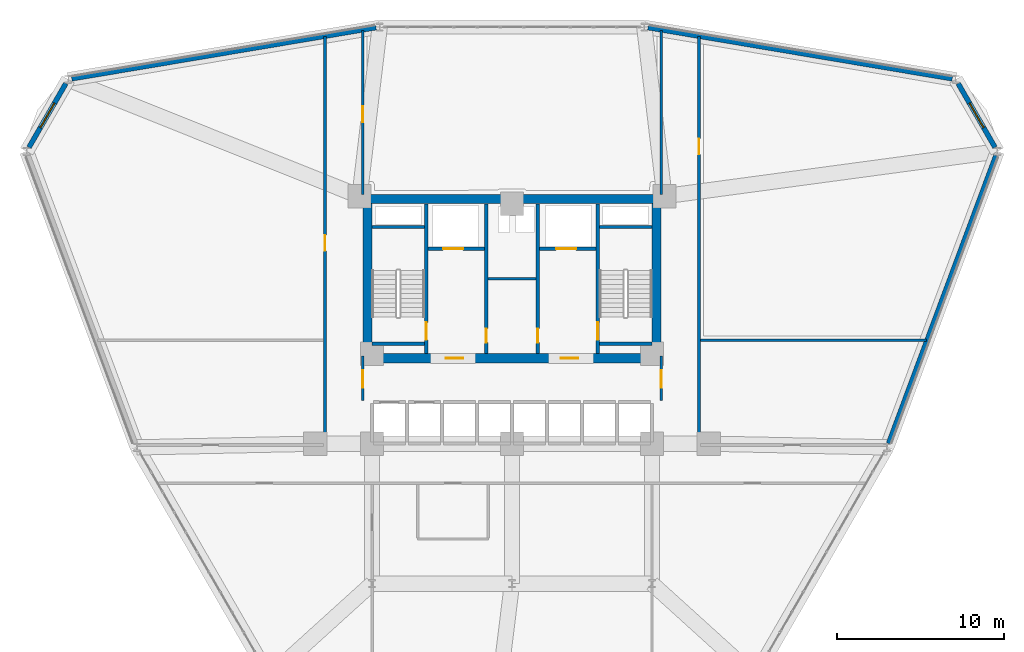
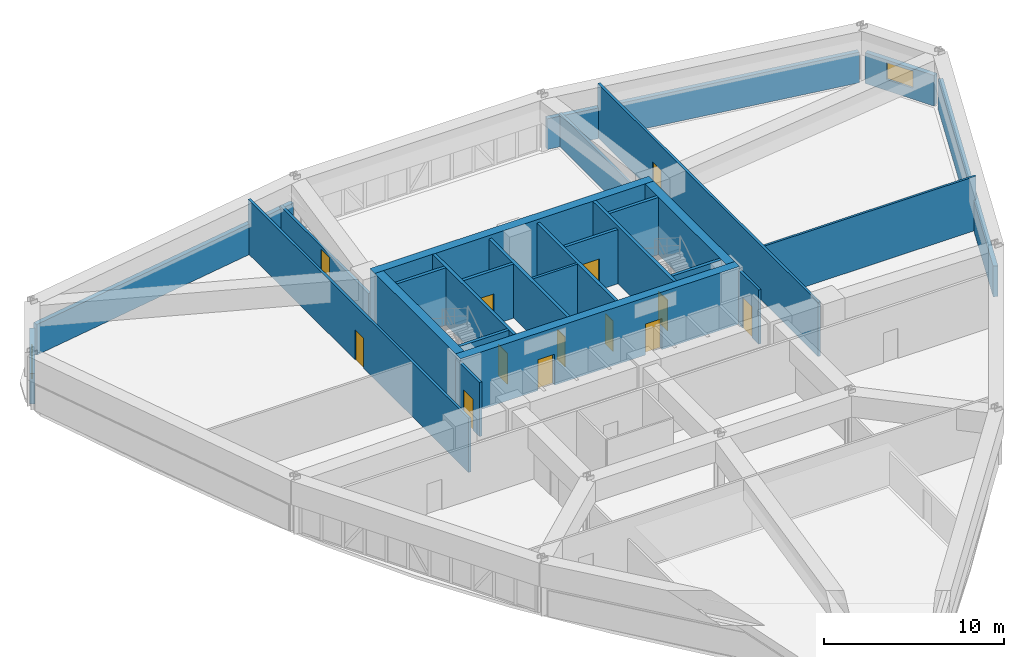
# One storey, part 16 of 20: 27 walls, 13 doors, 2 windows, 15 openings.
"""IFC4 building model written with IfcOpenShell, lengths in metres."""

from ifc_helpers import new_model, si_unit, derived_unit, direction, frame, frame_2d, origin, place, context, subcontext, project, spatial, rectangle, extrude, material, layer, layer_set, type_object, element, fill, save


model = new_model("IFC4")

# Units and contexts
model_context = context("Model", 3, precision=1e-05, world=origin(), true_north=direction((0.0, 1.0)))
body_context = subcontext(model_context, "Body", "Model", "MODEL_VIEW")
ifc_project = project(units=[si_unit("LENGTHUNIT", "METRE"), si_unit("AREAUNIT", "SQUARE_METRE"), si_unit("VOLUMEUNIT", "CUBIC_METRE"), si_unit("PLANEANGLEUNIT", "RADIAN"), si_unit("MASSUNIT", "GRAM", prefix="KILO"), derived_unit("THERMALTRANSMITTANCEUNIT", [(si_unit("POWERUNIT", "WATT"), 1), (si_unit("LENGTHUNIT", "METRE"), -2), (si_unit("THERMODYNAMICTEMPERATUREUNIT", "KELVIN"), -1)])], contexts=[model_context])

# Site, building, storey
site_placement = place(None, origin())
site = spatial("IfcSite", under=ifc_project, at=site_placement, CompositionType="ELEMENT")
building_placement = place(site_placement, origin())
building = spatial("IfcBuilding", under=site, at=building_placement, Name="Korsvarv Bourse and Concert Hall", CompositionType="ELEMENT")
storey_placement = place(building_placement, frame((0.0, 0.0, 35.699951171875)))
storey = spatial("IfcBuildingStorey", under=building, at=storey_placement, Name="L08", CompositionType="ELEMENT", Elevation=35.699951171875)

# Wall, opening, door
ifc_material_1 = material(Name="Concrete C50/60", Category="concrete")
ifc_layer_1 = layer(ifc_material_1, 0.3798828125)
ifc_layer_set_1 = layer_set([ifc_layer_1], Name="Concrete C50/60")
wall_type_1 = type_object("IfcWallType", Name="WL-CORE-380", PredefinedType="SHEAR", material=ifc_layer_set_1)
wall_1_placement = place(storey_placement, frame((30.860107421875, 37.81005859375, 0.0), z_axis=(0.0, 0.0, 1.0), x_axis=(0.0, 1.0, 0.0)))
wall_1 = element("IfcWall", 1, at=wall_1_placement, inside=storey, type_object=wall_type_1, Name="L08 stair shaft structural wall W-L08-ST1-E", PredefinedType="SHEAR", context=body_context, shape_type="SweptSolid", body=[
    extrude(rectangle(XDim=8.97998046875, YDim=0.199951171875, at=frame_2d((4.489990234375, 0.0))), origin(), (0.0, 0.0, 1.0), 3.900146484375),
])
opening_1_placement = place(wall_1_placement, frame((0.820068359375, 0.0, 0.0)))
opening_1 = element("IfcOpeningElement", 2, at=opening_1_placement, cuts=wall_1, Name="Opening D-01", PredefinedType="OPENING", context=body_context, shape_type="SweptSolid", body=[
    extrude(rectangle(XDim=1.050048828125, YDim=2.10009765625, at=frame_2d((0.52490234375, 1.050048828125))), frame((0.0, 0.10986328125, 0.0), z_axis=(0.0, -1.0, 0.0), x_axis=(1.0, 0.0, 0.0)), (0.0, 0.0, 1.0), 0.219970703125),
])
ifc_material_2 = material(Name="Steel S355 fire door", Category="steel")
door_type_1 = type_object("IfcDoorType", Name="DR-FD60", OperationType="NOTDEFINED", PredefinedType="DOOR", material=ifc_material_2)
door_1_placement = place(opening_1_placement, origin())
door_1 = element("IfcDoor", 3, at=door_1_placement, inside=storey, type_object=door_type_1, Name="L08 interior door DR-L08-ST1", OperationType="SINGLE_SWING_RIGHT", OverallHeight=2.10009765625, OverallWidth=1.050048828125, PredefinedType="DOOR", context=body_context, shape_type="SweptSolid", body=[
    extrude(rectangle(XDim=1.050048828125, YDim=2.10009765625, at=frame_2d((0.52490234375, 1.050048828125))), frame((0.0, 0.02490234375, 0.0), z_axis=(0.0, -1.0, 0.0), x_axis=(1.0, 0.0, 0.0)), (0.0, 0.0, 1.0), 0.050048828125),
])
fill(opening_1, door_1)

# Walls
for number, where, z_axis, x_axis, name in (
    (4, (27.610107421875, 45.39990234375, 0.0), (0.0, 0.0, 1.0), (1.0, 0.0, 0.0), "L08 stair shaft structural wall W-L08-ST1-N"),
    (5, (27.610107421875, 38.39990234375, 0.0), (0.0, 0.0, 1.0), (1.0, 0.0, 0.0), "L08 stair shaft structural wall W-L08-ST1-S"),
):
    element("IfcWall", number, at=place(storey_placement, frame(where, z_axis=z_axis, x_axis=x_axis)), inside=storey, type_object=wall_type_1, Name=name, PredefinedType="SHEAR", context=body_context, shape_type="SweptSolid", body=[
        extrude(rectangle(XDim=3.139892578125, YDim=0.199951171875, at=frame_2d((1.56982421875, 0.0))), origin(), (0.0, 0.0, 1.0), 3.900146484375),
    ])

# Wall, opening, door
wall_2_placement = place(storey_placement, frame((41.139892578125, 37.81005859375, 0.0), z_axis=(0.0, 0.0, 1.0), x_axis=(0.0, 1.0, 0.0)))
wall_2 = element("IfcWall", 6, at=wall_2_placement, inside=storey, type_object=wall_type_1, Name="L08 stair shaft structural wall W-L08-ST2-W", PredefinedType="SHEAR", context=body_context, shape_type="SweptSolid", body=[
    extrude(rectangle(XDim=8.97998046875, YDim=0.199951171875, at=frame_2d((4.489990234375, 0.0))), origin(), (0.0, 0.0, 1.0), 3.900146484375),
])
opening_2_placement = place(wall_2_placement, frame((0.820068359375, 0.0, 0.0)))
opening_2 = element("IfcOpeningElement", 7, at=opening_2_placement, cuts=wall_2, Name="Opening D-01", PredefinedType="OPENING", context=body_context, shape_type="SweptSolid", body=[
    extrude(rectangle(XDim=1.050048828125, YDim=2.10009765625, at=frame_2d((0.52490234375, 1.050048828125))), frame((0.0, 0.10986328125, 0.0), z_axis=(0.0, -1.0, 0.0), x_axis=(1.0, 0.0, 0.0)), (0.0, 0.0, 1.0), 0.219970703125),
])
door_2_placement = place(opening_2_placement, frame((1.050048828125, 0.0, 0.0), z_axis=(0.0, 0.0, 1.0), x_axis=(-1.0, 0.0, 0.0)))
door_2 = element("IfcDoor", 8, at=door_2_placement, inside=storey, type_object=door_type_1, Name="L08 interior door DR-L08-ST2", OperationType="SINGLE_SWING_LEFT", OverallHeight=2.10009765625, OverallWidth=1.050048828125, PredefinedType="DOOR", context=body_context, shape_type="SweptSolid", body=[
    extrude(rectangle(XDim=1.050048828125, YDim=2.10009765625, at=frame_2d((0.52490234375, 1.050048828125))), frame((0.0, 0.02490234375, 0.0), z_axis=(0.0, -1.0, 0.0), x_axis=(1.0, 0.0, 0.0)), (0.0, 0.0, 1.0), 0.050048828125),
])
fill(opening_2, door_2)

# Walls
for number, where, z_axis, x_axis, name in (
    (9, (41.25, 45.39990234375, 0.0), (0.0, 0.0, 1.0), (1.0, 0.0, 0.0), "L08 stair shaft structural wall W-L08-ST2-N"),
    (10, (41.25, 38.39990234375, 0.0), (0.0, 0.0, 1.0), (1.0, 0.0, 0.0), "L08 stair shaft structural wall W-L08-ST2-S"),
):
    element("IfcWall", number, at=place(storey_placement, frame(where, z_axis=z_axis, x_axis=x_axis)), inside=storey, type_object=wall_type_1, Name=name, PredefinedType="SHEAR", context=body_context, shape_type="SweptSolid", body=[
        extrude(rectangle(XDim=3.139892578125, YDim=0.199951171875, at=frame_2d((1.56982421875, 0.0))), origin(), (0.0, 0.0, 1.0), 3.900146484375),
    ])
ifc_material_3 = material(Name="Concrete C60/75", Category="concrete")
ifc_layer_2 = layer(ifc_material_3, 0.550048828125)
ifc_layer_set_2 = layer_set([ifc_layer_2], Name="Concrete C60/75")
wall_type_2 = type_object("IfcWallType", Name="WL-CORE-550", PredefinedType="SHEAR", material=ifc_layer_set_2)
wall_3_placement = place(storey_placement, frame((27.050048828125, 47.074951171875, 0.0), z_axis=(0.0, 0.0, 1.0), x_axis=(1.0, 0.0, 0.0)))
element("IfcWall", 11, at=wall_3_placement, inside=storey, type_object=wall_type_2, Name="L08 North Core Shear Wall", PredefinedType="SHEAR", context=body_context, shape_type="SweptSolid", body=[
    extrude(rectangle(XDim=17.89990234375, YDim=0.550048828125, at=frame_2d((8.949951171875, 0.0))), origin(), (0.0, 0.0, 1.0), 3.900146484375),
])

# Wall, openings, doors
wall_4_placement = place(storey_placement, frame((27.050048828125, 37.52490234375, 0.0), z_axis=(0.0, 0.0, 1.0), x_axis=(1.0, 0.0, 0.0)))
wall_4 = element("IfcWall", 12, at=wall_4_placement, inside=storey, type_object=wall_type_2, Name="L08 South Core Shear Wall", PredefinedType="SHEAR", context=body_context, shape_type="SweptSolid", body=[
    extrude(rectangle(XDim=17.89990234375, YDim=0.550048828125, at=frame_2d((8.949951171875, 0.0))), origin(), (0.0, 0.0, 1.0), 3.900146484375),
])
opening_3_placement = place(wall_4_placement, frame((4.97509765625, 0.0, 0.0)))
opening_3 = element("IfcOpeningElement", 13, at=opening_3_placement, cuts=wall_4, Name="Opening D-01", PredefinedType="OPENING", context=body_context, shape_type="SweptSolid", body=[
    extrude(rectangle(XDim=1.050048828125, YDim=2.10009765625, at=frame_2d((0.52490234375, 1.050048828125))), frame((0.0, 0.28515625, 0.0), z_axis=(0.0, -1.0, 0.0), x_axis=(1.0, 0.0, 0.0)), (0.0, 0.0, 1.0), 0.570068359375),
])
opening_4_placement = place(wall_4_placement, frame((11.875, 0.0, 0.0)))
opening_4 = element("IfcOpeningElement", 14, at=opening_4_placement, cuts=wall_4, Name="Opening D-01", PredefinedType="OPENING", context=body_context, shape_type="SweptSolid", body=[
    extrude(rectangle(XDim=1.050048828125, YDim=2.10009765625, at=frame_2d((0.52490234375, 1.050048828125))), frame((0.0, 0.28515625, 0.0), z_axis=(0.0, -1.0, 0.0), x_axis=(1.0, 0.0, 0.0)), (0.0, 0.0, 1.0), 0.570068359375),
])
door_3_placement = place(opening_3_placement, frame((1.050048828125, 0.0, 0.0), z_axis=(0.0, 0.0, 1.0), x_axis=(-1.0, 0.0, 0.0)))
door_3 = element("IfcDoor", 15, at=door_3_placement, inside=storey, type_object=door_type_1, Name="L08 firefighting lobby fire door DR-L08-FFLW", OperationType="SINGLE_SWING_RIGHT", OverallHeight=2.10009765625, OverallWidth=1.050048828125, PredefinedType="DOOR", context=body_context, shape_type="SweptSolid", body=[
    extrude(rectangle(XDim=1.050048828125, YDim=2.10009765625, at=frame_2d((0.52490234375, 1.050048828125))), frame((0.0, 0.02490234375, 0.0), z_axis=(0.0, -1.0, 0.0), x_axis=(1.0, 0.0, 0.0)), (0.0, 0.0, 1.0), 0.050048828125),
])
fill(opening_3, door_3)
door_4_placement = place(opening_4_placement, frame((1.050048828125, 0.0, 0.0), z_axis=(0.0, 0.0, 1.0), x_axis=(-1.0, 0.0, 0.0)))
door_4 = element("IfcDoor", 16, at=door_4_placement, inside=storey, type_object=door_type_1, Name="L08 firefighting lobby fire door DR-L08-FFLE", OperationType="SINGLE_SWING_LEFT", OverallHeight=2.10009765625, OverallWidth=1.050048828125, PredefinedType="DOOR", context=body_context, shape_type="SweptSolid", body=[
    extrude(rectangle(XDim=1.050048828125, YDim=2.10009765625, at=frame_2d((0.52490234375, 1.050048828125))), frame((0.0, 0.02490234375, 0.0), z_axis=(0.0, -1.0, 0.0), x_axis=(1.0, 0.0, 0.0)), (0.0, 0.0, 1.0), 0.050048828125),
])
fill(opening_4, door_4)

# Walls
for number, where, z_axis, x_axis, name in (
    (17, (27.324951171875, 37.800048828125, 0.0), (0.0, 0.0, 1.0), (0.0, 1.0, 0.0), "L08 West Core Shear Wall"),
    (18, (44.675048828125, 37.800048828125, 0.0), (0.0, 0.0, 1.0), (0.0, 1.0, 0.0), "L08 East Core Shear Wall"),
):
    element("IfcWall", number, at=place(storey_placement, frame(where, z_axis=z_axis, x_axis=x_axis)), inside=storey, type_object=wall_type_2, Name=name, PredefinedType="SHEAR", context=body_context, shape_type="SweptSolid", body=[
        extrude(rectangle(XDim=9.0, YDim=0.550048828125, at=frame_2d((4.5, 0.0))), origin(), (0.0, 0.0, 1.0), 3.900146484375),
    ])

# Wall, opening, window
ifc_material_4 = material(Name="Precast concrete C45/55 with terracotta rainscreen", Category="concrete")
ifc_layer_3 = layer(ifc_material_4, 0.300048828125)
ifc_layer_set_3 = layer_set([ifc_layer_3], Name="Precast concrete C45/55 with terracotta rainscreen")
wall_type_3 = type_object("IfcWallType", Name="WL-EXT-TC1", PredefinedType="SOLIDWALL", material=ifc_layer_set_3)
wall_5_placement = place(storey_placement, frame((64.990234375, 50.181640625, 0.0), z_axis=(0.0, 0.0, 1.0), x_axis=(-0.499994569991, 0.866028538779, 0.0)))
wall_5 = element("IfcWall", 19, at=wall_5_placement, inside=storey, type_object=wall_type_3, Name="L08 terracotta exterior wall EW-L08-B01", PredefinedType="SOLIDWALL", context=body_context, shape_type="SweptSolid", body=[
    extrude(rectangle(XDim=4.4267578125, YDim=0.300048828125, at=frame_2d((2.21337890625, 0.0))), origin(), (0.0, 0.0, 1.0), 2.080078125),
])
opening_5_placement = place(wall_5_placement, frame((1.36328125, 0.0, 0.75)))
opening_5 = element("IfcOpeningElement", 20, at=opening_5_placement, cuts=wall_5, Name="Opening W-06", PredefinedType="OPENING", context=body_context, shape_type="SweptSolid", body=[
    extrude(rectangle(XDim=1.699951171875, YDim=1.14990234375, at=frame_2d((0.85009765625, 0.574951171875))), frame((0.0, 0.16015625, 0.0), z_axis=(0.0, -1.0, 0.0), x_axis=(1.0, 0.0, 0.0)), (0.0, 0.0, 1.0), 0.320068359375),
])
ifc_material_5 = material(Name="Thermally broken aluminium frame with triple low-E glass", Category="glass")
window_type = type_object("IfcWindowType", Name="WIN-TW1-1700X1150", PartitioningType="SINGLE_PANEL", PredefinedType="WINDOW", material=ifc_material_5)
window_1_placement = place(opening_5_placement, origin())
window_1 = element("IfcWindow", 21, at=window_1_placement, inside=storey, type_object=window_type, Name="L08 punched facade window W-06", OverallHeight=1.14990234375, OverallWidth=1.699951171875, PartitioningType="SINGLE_PANEL", PredefinedType="WINDOW", context=body_context, shape_type="SweptSolid", body=[
    extrude(rectangle(XDim=1.699951171875, YDim=1.14990234375, at=frame_2d((0.85009765625, 0.574951171875))), frame((0.0, 0.030029296875, 0.0), z_axis=(0.0, -1.0, 0.0), x_axis=(1.0, 0.0, 0.0)), (0.0, 0.0, 1.0), 0.06005859375),
])
fill(opening_5, window_1)

wall_6_placement = place(storey_placement, frame((9.22314453125, 54.015380859375, 0.0), z_axis=(0.0, 0.0, 1.0), x_axis=(-0.499994569991, -0.866028538779, 0.0)))
wall_6 = element("IfcWall", 22, at=wall_6_placement, inside=storey, type_object=wall_type_3, Name="L08 terracotta exterior wall EW-L08-B05", PredefinedType="SOLIDWALL", context=body_context, shape_type="SweptSolid", body=[
    extrude(rectangle(XDim=4.4267578125, YDim=0.300048828125, at=frame_2d((2.21337890625, 0.0))), origin(), (0.0, 0.0, 1.0), 2.080078125),
])
opening_6_placement = place(wall_6_placement, frame((1.36328125, 0.0, 0.75)))
opening_6 = element("IfcOpeningElement", 23, at=opening_6_placement, cuts=wall_6, Name="Opening W-06", PredefinedType="OPENING", context=body_context, shape_type="SweptSolid", body=[
    extrude(rectangle(XDim=1.699951171875, YDim=1.14990234375, at=frame_2d((0.85009765625, 0.574951171875))), frame((0.0, 0.16015625, 0.0), z_axis=(0.0, -1.0, 0.0), x_axis=(1.0, 0.0, 0.0)), (0.0, 0.0, 1.0), 0.320068359375),
])
window_2_placement = place(opening_6_placement, origin())
window_2 = element("IfcWindow", 24, at=window_2_placement, inside=storey, type_object=window_type, Name="L08 punched facade window W-06", OverallHeight=1.14990234375, OverallWidth=1.699951171875, PartitioningType="SINGLE_PANEL", PredefinedType="WINDOW", context=body_context, shape_type="SweptSolid", body=[
    extrude(rectangle(XDim=1.699951171875, YDim=1.14990234375, at=frame_2d((0.85009765625, 0.574951171875))), frame((0.0, 0.030029296875, 0.0), z_axis=(0.0, -1.0, 0.0), x_axis=(1.0, 0.0, 0.0)), (0.0, 0.0, 1.0), 0.06005859375),
])
fill(opening_6, window_2)

# Walls
ifc_material_6 = material(Name="Precast concrete C45/55 with fluted terracotta pier", Category="concrete")
ifc_layer_4 = layer(ifc_material_6, 0.280029296875)
ifc_layer_set_4 = layer_set([ifc_layer_4], Name="Precast concrete C45/55 with fluted terracotta pier")
wall_type_4 = type_object("IfcWallType", Name="WL-EXT-TC2", PredefinedType="SOLIDWALL", material=ifc_layer_set_4)
for number, where, z_axis, x_axis, name in (
    (25, (62.420166015625, 54.2939453125, 0.0), (0.0, 0.0, 1.0), (-0.986153073874, 0.165837616025, 0.0), "L08 terracotta exterior wall EW-L08-B02"),
    (26, (27.841796875, 57.364990234375, 0.0), (0.0, 0.0, 1.0), (-0.986153073874, -0.165837616025, 0.0), "L08 terracotta exterior wall EW-L08-B04"),
):
    element("IfcWall", number, at=place(storey_placement, frame(where, z_axis=z_axis, x_axis=x_axis)), inside=storey, type_object=wall_type_4, Name=name, PredefinedType="SOLIDWALL", context=body_context, shape_type="SweptSolid", body=[
        extrude(rectangle(XDim=18.518310546875, YDim=0.280029296875, at=frame_2d((9.25927734375, 0.0))), origin(), (0.0, 0.0, 1.0), 2.080078125),
    ])
wall_7_placement = place(storey_placement, frame((58.59521484375, 32.41845703125, 0.0), z_axis=(0.0, 0.0, 1.0), x_axis=(0.349439969545, 0.936958754527, 0.0)))
element("IfcWall", 27, at=wall_7_placement, inside=storey, type_object=wall_type_4, Name="L08 terracotta exterior wall EW-L08-B12", PredefinedType="SOLIDWALL", context=body_context, shape_type="SweptSolid", body=[
    extrude(rectangle(XDim=18.44189453125, YDim=0.280029296875, at=frame_2d((9.220947265625, 0.0))), origin(), (0.0, 0.0, 1.0), 2.080078125),
])

# Wall, opening, door
ifc_material_7 = material(Name="Reinforced concrete blockwork C35/45 fire wall", Category="concrete")
ifc_layer_5 = layer(ifc_material_7, 0.199951171875)
ifc_layer_set_5 = layer_set([ifc_layer_5], Name="Reinforced concrete blockwork C35/45 fire wall")
wall_type_5 = type_object("IfcWallType", Name="WL-INT-EI120", PredefinedType="PARTITIONING", material=ifc_layer_set_5)
wall_8_placement = place(storey_placement, frame((30.969970703125, 44.10009765625, 0.0), z_axis=(0.0, 0.0, 1.0), x_axis=(1.0, 0.0, 0.0)))
wall_8 = element("IfcWall", 28, at=wall_8_placement, inside=storey, type_object=wall_type_5, Name="L08 interior partition wall W-L08-FF1-S", PredefinedType="PARTITIONING", context=body_context, shape_type="SweptSolid", body=[
    extrude(rectangle(XDim=3.380126953125, YDim=0.199951171875, at=frame_2d((1.68994140625, 0.0))), origin(), (0.0, 0.0, 1.0), 3.679931640625),
])
opening_7_placement = place(wall_8_placement, frame((0.89990234375, 0.0, 0.0)))
opening_7 = element("IfcOpeningElement", 29, at=opening_7_placement, cuts=wall_8, Name="Opening LD-1", PredefinedType="OPENING", context=body_context, shape_type="SweptSolid", body=[
    extrude(rectangle(XDim=1.199951171875, YDim=2.10009765625, at=frame_2d((0.60009765625, 1.050048828125))), frame((0.0, 0.10986328125, 0.0), z_axis=(0.0, -1.0, 0.0), x_axis=(1.0, 0.0, 0.0)), (0.0, 0.0, 1.0), 0.219970703125),
])
ifc_material_8 = material(Name="Stainless Steel S355 firefighting lift landing door", Category="steel")
door_type_2 = type_object("IfcDoorType", Name="DR-LIFT-FF", OperationType="DOUBLE_DOOR_SLIDING", PredefinedType="DOOR", material=ifc_material_8)
door_5_placement = place(opening_7_placement, origin())
door_5 = element("IfcDoor", 30, at=door_5_placement, inside=storey, type_object=door_type_2, Name="L08 lift sliding landing door LD-L08-FF1", OperationType="DOUBLE_DOOR_SLIDING", OverallHeight=2.10009765625, OverallWidth=1.199951171875, PredefinedType="DOOR", context=body_context, shape_type="SweptSolid", body=[
    extrude(rectangle(XDim=1.199951171875, YDim=2.10009765625, at=frame_2d((0.60009765625, 1.050048828125))), frame((0.0, 0.02490234375, 0.0), z_axis=(0.0, -1.0, 0.0), x_axis=(1.0, 0.0, 0.0)), (0.0, 0.0, 1.0), 0.050048828125),
])
fill(opening_7, door_5)

wall_9_placement = place(storey_placement, frame((37.64990234375, 44.10009765625, 0.0), z_axis=(0.0, 0.0, 1.0), x_axis=(1.0, 0.0, 0.0)))
wall_9 = element("IfcWall", 31, at=wall_9_placement, inside=storey, type_object=wall_type_5, Name="L08 interior partition wall W-L08-FF2-S", PredefinedType="PARTITIONING", context=body_context, shape_type="SweptSolid", body=[
    extrude(rectangle(XDim=3.380126953125, YDim=0.199951171875, at=frame_2d((1.68994140625, 0.0))), origin(), (0.0, 0.0, 1.0), 3.679931640625),
])
opening_8_placement = place(wall_9_placement, frame((1.0, 0.0, 0.0)))
opening_8 = element("IfcOpeningElement", 32, at=opening_8_placement, cuts=wall_9, Name="Opening LD-1", PredefinedType="OPENING", context=body_context, shape_type="SweptSolid", body=[
    extrude(rectangle(XDim=1.199951171875, YDim=2.10009765625, at=frame_2d((0.60009765625, 1.050048828125))), frame((0.0, 0.10986328125, 0.0), z_axis=(0.0, -1.0, 0.0), x_axis=(1.0, 0.0, 0.0)), (0.0, 0.0, 1.0), 0.219970703125),
])
door_6_placement = place(opening_8_placement, origin())
door_6 = element("IfcDoor", 33, at=door_6_placement, inside=storey, type_object=door_type_2, Name="L08 lift sliding landing door LD-L08-FF2", OperationType="DOUBLE_DOOR_SLIDING", OverallHeight=2.10009765625, OverallWidth=1.199951171875, PredefinedType="DOOR", context=body_context, shape_type="SweptSolid", body=[
    extrude(rectangle(XDim=1.199951171875, YDim=2.10009765625, at=frame_2d((0.60009765625, 1.050048828125))), frame((0.0, 0.02490234375, 0.0), z_axis=(0.0, -1.0, 0.0), x_axis=(1.0, 0.0, 0.0)), (0.0, 0.0, 1.0), 0.050048828125),
])
fill(opening_8, door_6)

wall_10_placement = place(storey_placement, frame((34.4599609375, 37.81005859375, 0.0), z_axis=(0.0, 0.0, 1.0), x_axis=(0.0, 1.0, 0.0)))
wall_10 = element("IfcWall", 34, at=wall_10_placement, inside=storey, type_object=wall_type_5, Name="L08 interior partition wall W-L08-CSB-W", PredefinedType="PARTITIONING", context=body_context, shape_type="SweptSolid", body=[
    extrude(rectangle(XDim=8.97998046875, YDim=0.199951171875, at=frame_2d((4.489990234375, 0.0))), origin(), (0.0, 0.0, 1.0), 3.679931640625),
])
opening_9_placement = place(wall_10_placement, frame((0.64990234375, 0.0, 0.0)))
opening_9 = element("IfcOpeningElement", 35, at=opening_9_placement, cuts=wall_10, Name="Opening D-05", PredefinedType="OPENING", context=body_context, shape_type="SweptSolid", body=[
    extrude(rectangle(XDim=0.85009765625, YDim=2.050048828125, at=frame_2d((0.425048828125, 1.02490234375))), frame((0.0, 0.10986328125, 0.0), z_axis=(0.0, -1.0, 0.0), x_axis=(1.0, 0.0, 0.0)), (0.0, 0.0, 1.0), 0.219970703125),
])
door_type_3 = type_object("IfcDoorType", Name="DR-FD60-850X2050", OperationType="NOTDEFINED", PredefinedType="DOOR", material=ifc_material_2)
door_7_placement = place(opening_9_placement, frame((0.85009765625, 0.0, 0.0), z_axis=(0.0, 0.0, 1.0), x_axis=(-1.0, 0.0, 0.0)))
door_7 = element("IfcDoor", 36, at=door_7_placement, inside=storey, type_object=door_type_3, Name="L08 interior door DR-L08-CSB1", OperationType="SINGLE_SWING_RIGHT", OverallHeight=2.050048828125, OverallWidth=0.85009765625, PredefinedType="DOOR", context=body_context, shape_type="SweptSolid", body=[
    extrude(rectangle(XDim=0.85009765625, YDim=2.050048828125, at=frame_2d((0.425048828125, 1.02490234375))), frame((0.0, 0.02490234375, 0.0), z_axis=(0.0, -1.0, 0.0), x_axis=(1.0, 0.0, 0.0)), (0.0, 0.0, 1.0), 0.050048828125),
])
fill(opening_9, door_7)

wall_11_placement = place(storey_placement, frame((37.5400390625, 37.81005859375, 0.0), z_axis=(0.0, 0.0, 1.0), x_axis=(0.0, 1.0, 0.0)))
wall_11 = element("IfcWall", 37, at=wall_11_placement, inside=storey, type_object=wall_type_5, Name="L08 interior partition wall W-L08-CSB-E", PredefinedType="PARTITIONING", context=body_context, shape_type="SweptSolid", body=[
    extrude(rectangle(XDim=8.97998046875, YDim=0.199951171875, at=frame_2d((4.489990234375, 0.0))), origin(), (0.0, 0.0, 1.0), 3.679931640625),
])
opening_10_placement = place(wall_11_placement, frame((0.64990234375, 0.0, 0.0)))
opening_10 = element("IfcOpeningElement", 38, at=opening_10_placement, cuts=wall_11, Name="Opening D-05", PredefinedType="OPENING", context=body_context, shape_type="SweptSolid", body=[
    extrude(rectangle(XDim=0.85009765625, YDim=2.050048828125, at=frame_2d((0.425048828125, 1.02490234375))), frame((0.0, 0.10986328125, 0.0), z_axis=(0.0, -1.0, 0.0), x_axis=(1.0, 0.0, 0.0)), (0.0, 0.0, 1.0), 0.219970703125),
])
door_8_placement = place(opening_10_placement, origin())
door_8 = element("IfcDoor", 39, at=door_8_placement, inside=storey, type_object=door_type_3, Name="L08 interior door DR-L08-CSB2", OperationType="SINGLE_SWING_LEFT", OverallHeight=2.050048828125, OverallWidth=0.85009765625, PredefinedType="DOOR", context=body_context, shape_type="SweptSolid", body=[
    extrude(rectangle(XDim=0.85009765625, YDim=2.050048828125, at=frame_2d((0.425048828125, 1.02490234375))), frame((0.0, 0.02490234375, 0.0), z_axis=(0.0, -1.0, 0.0), x_axis=(1.0, 0.0, 0.0)), (0.0, 0.0, 1.0), 0.050048828125),
])
fill(opening_10, door_8)

# Wall
ifc_material_9 = material(Name="Double-stud fire-rated acoustic partition", Category="gypsum")
ifc_layer_6 = layer(ifc_material_9, 0.159912109375)
ifc_layer_set_6 = layer_set([ifc_layer_6], Name="Double-stud fire-rated acoustic partition")
wall_type_6 = type_object("IfcWallType", Name="WL-INT-EI60", PredefinedType="PARTITIONING", material=ifc_layer_set_6)
wall_12_placement = place(storey_placement, frame((34.570068359375, 42.300048828125, 0.0), z_axis=(0.0, 0.0, 1.0), x_axis=(1.0, 0.0, 0.0)))
element("IfcWall", 40, at=wall_12_placement, inside=storey, type_object=wall_type_6, Name="L08 interior partition wall W-L08-K1", PredefinedType="PARTITIONING", context=body_context, shape_type="SweptSolid", body=[
    extrude(rectangle(XDim=2.85986328125, YDim=0.159912109375, at=frame_2d((1.429931640625, 0.0))), origin(), (0.0, 0.0, 1.0), 3.679931640625),
])

# Wall, opening, door
wall_13_placement = place(storey_placement, frame((27.0400390625, 35.0, 0.0), z_axis=(0.0, 0.0, 1.0), x_axis=(0.0, 1.0, 0.0)))
wall_13 = element("IfcWall", 41, at=wall_13_placement, inside=storey, type_object=wall_type_6, Name="L08 interior partition wall W-L08-LOB-W", PredefinedType="PARTITIONING", context=body_context, shape_type="SweptSolid", body=[
    extrude(rectangle(XDim=2.64990234375, YDim=0.159912109375, at=frame_2d((1.324951171875, 0.0))), origin(), (0.0, 0.0, 1.0), 3.679931640625),
])
opening_11_placement = place(wall_13_placement, frame((0.75, 0.0, 0.0)))
opening_11 = element("IfcOpeningElement", 42, at=opening_11_placement, cuts=wall_13, Name="Opening D-01", PredefinedType="OPENING", context=body_context, shape_type="SweptSolid", body=[
    extrude(rectangle(XDim=1.050048828125, YDim=2.10009765625, at=frame_2d((0.52490234375, 1.050048828125))), frame((0.0, 0.08984375, 0.0), z_axis=(0.0, -1.0, 0.0), x_axis=(1.0, 0.0, 0.0)), (0.0, 0.0, 1.0), 0.179931640625),
])
door_9_placement = place(opening_11_placement, frame((1.050048828125, 0.0, 0.0), z_axis=(0.0, 0.0, 1.0), x_axis=(-1.0, 0.0, 0.0)))
door_9 = element("IfcDoor", 43, at=door_9_placement, inside=storey, type_object=door_type_1, Name="L08 interior door DR-L08-LOBW", OperationType="SINGLE_SWING_RIGHT", OverallHeight=2.10009765625, OverallWidth=1.050048828125, PredefinedType="DOOR", context=body_context, shape_type="SweptSolid", body=[
    extrude(rectangle(XDim=1.050048828125, YDim=2.10009765625, at=frame_2d((0.52490234375, 1.050048828125))), frame((0.0, 0.02490234375, 0.0), z_axis=(0.0, -1.0, 0.0), x_axis=(1.0, 0.0, 0.0)), (0.0, 0.0, 1.0), 0.050048828125),
])
fill(opening_11, door_9)

wall_14_placement = place(storey_placement, frame((44.9599609375, 35.0, 0.0), z_axis=(0.0, 0.0, 1.0), x_axis=(0.0, 1.0, 0.0)))
wall_14 = element("IfcWall", 44, at=wall_14_placement, inside=storey, type_object=wall_type_6, Name="L08 interior partition wall W-L08-LOB-E", PredefinedType="PARTITIONING", context=body_context, shape_type="SweptSolid", body=[
    extrude(rectangle(XDim=2.64990234375, YDim=0.159912109375, at=frame_2d((1.324951171875, 0.0))), origin(), (0.0, 0.0, 1.0), 3.679931640625),
])
opening_12_placement = place(wall_14_placement, frame((0.75, 0.0, 0.0)))
opening_12 = element("IfcOpeningElement", 45, at=opening_12_placement, cuts=wall_14, Name="Opening D-01", PredefinedType="OPENING", context=body_context, shape_type="SweptSolid", body=[
    extrude(rectangle(XDim=1.050048828125, YDim=2.10009765625, at=frame_2d((0.52490234375, 1.050048828125))), frame((0.0, 0.08984375, 0.0), z_axis=(0.0, -1.0, 0.0), x_axis=(1.0, 0.0, 0.0)), (0.0, 0.0, 1.0), 0.179931640625),
])
door_10_placement = place(opening_12_placement, origin())
door_10 = element("IfcDoor", 46, at=door_10_placement, inside=storey, type_object=door_type_1, Name="L08 interior door DR-L08-LOBE", OperationType="SINGLE_SWING_LEFT", OverallHeight=2.10009765625, OverallWidth=1.050048828125, PredefinedType="DOOR", context=body_context, shape_type="SweptSolid", body=[
    extrude(rectangle(XDim=1.050048828125, YDim=2.10009765625, at=frame_2d((0.52490234375, 1.050048828125))), frame((0.0, 0.02490234375, 0.0), z_axis=(0.0, -1.0, 0.0), x_axis=(1.0, 0.0, 0.0)), (0.0, 0.0, 1.0), 0.050048828125),
])
fill(opening_12, door_10)

wall_15_placement = place(storey_placement, frame((47.22509765625, 32.31005859375, 0.0), z_axis=(0.0, 0.0, 1.0), x_axis=(0.0, 1.0, 0.0)))
wall_15 = element("IfcWall", 47, at=wall_15_placement, inside=storey, type_object=wall_type_6, Name="L08 interior partition wall W-L08-TCOR-02", PredefinedType="PARTITIONING", context=body_context, shape_type="SweptSolid", body=[
    extrude(rectangle(XDim=24.51904296875, YDim=0.159912109375, at=frame_2d((12.259521484375, 0.0))), origin(), (0.0, 0.0, 1.0), 3.679931640625),
])
opening_13_placement = place(wall_15_placement, frame((17.451416015625, 0.0, 0.0)))
opening_13 = element("IfcOpeningElement", 48, at=opening_13_placement, cuts=wall_15, Name="Opening D-02", PredefinedType="OPENING", context=body_context, shape_type="SweptSolid", body=[
    extrude(rectangle(XDim=0.949951171875, YDim=2.050048828125, at=frame_2d((0.47509765625, 1.02490234375))), frame((0.0, 0.08984375, 0.0), z_axis=(0.0, -1.0, 0.0), x_axis=(1.0, 0.0, 0.0)), (0.0, 0.0, 1.0), 0.179931640625),
])
ifc_material_10 = material(Name="Timber and steel acoustic fire door", Category="wood")
door_type_4 = type_object("IfcDoorType", Name="DR-FD30", OperationType="NOTDEFINED", PredefinedType="DOOR", material=ifc_material_10)
door_11_placement = place(opening_13_placement, origin())
door_11 = element("IfcDoor", 49, at=door_11_placement, inside=storey, type_object=door_type_4, Name="L08 interior door DR-L08-TCOR-FI82", OperationType="SINGLE_SWING_LEFT", OverallHeight=2.050048828125, OverallWidth=0.949951171875, PredefinedType="DOOR", context=body_context, shape_type="SweptSolid", body=[
    extrude(rectangle(XDim=0.949951171875, YDim=2.050048828125, at=frame_2d((0.47509765625, 1.02490234375))), frame((0.0, 0.02490234375, 0.0), z_axis=(0.0, -1.0, 0.0), x_axis=(1.0, 0.0, 0.0)), (0.0, 0.0, 1.0), 0.050048828125),
])
fill(opening_13, door_11)

wall_16_placement = place(storey_placement, frame((24.77490234375, 32.31005859375, 0.0), z_axis=(0.0, 0.0, 1.0), x_axis=(0.0, 1.0, 0.0)))
wall_16 = element("IfcWall", 50, at=wall_16_placement, inside=storey, type_object=wall_type_6, Name="L08 interior partition wall W-L08-TCOR-03", PredefinedType="PARTITIONING", context=body_context, shape_type="SweptSolid", body=[
    extrude(rectangle(XDim=24.51904296875, YDim=0.159912109375, at=frame_2d((12.259521484375, 0.0))), origin(), (0.0, 0.0, 1.0), 3.679931640625),
])
opening_14_placement = place(wall_16_placement, frame((11.653564453125, 0.0, 0.0)))
opening_14 = element("IfcOpeningElement", 51, at=opening_14_placement, cuts=wall_16, Name="Opening D-02", PredefinedType="OPENING", context=body_context, shape_type="SweptSolid", body=[
    extrude(rectangle(XDim=0.949951171875, YDim=2.050048828125, at=frame_2d((0.47509765625, 1.02490234375))), frame((0.0, 0.08984375, 0.0), z_axis=(0.0, -1.0, 0.0), x_axis=(1.0, 0.0, 0.0)), (0.0, 0.0, 1.0), 0.179931640625),
])
door_12_placement = place(opening_14_placement, origin())
door_12 = element("IfcDoor", 52, at=door_12_placement, inside=storey, type_object=door_type_4, Name="L08 interior door DR-L08-TCOR-FI611", OperationType="SINGLE_SWING_RIGHT", OverallHeight=2.050048828125, OverallWidth=0.949951171875, PredefinedType="DOOR", context=body_context, shape_type="SweptSolid", body=[
    extrude(rectangle(XDim=0.949951171875, YDim=2.050048828125, at=frame_2d((0.47509765625, 1.02490234375))), frame((0.0, 0.02490234375, 0.0), z_axis=(0.0, -1.0, 0.0), x_axis=(1.0, 0.0, 0.0)), (0.0, 0.0, 1.0), 0.050048828125),
])
fill(opening_14, door_12)

wall_17_placement = place(storey_placement, frame((27.034912109375, 47.340087890625, 0.0), z_axis=(0.0, 0.0, 1.0), x_axis=(0.0, 1.0, 0.0)))
wall_17 = element("IfcWall", 53, at=wall_17_placement, inside=storey, type_object=wall_type_6, Name="L08 interior partition wall W-L08-TCOR-06", PredefinedType="PARTITIONING", context=body_context, shape_type="SweptSolid", body=[
    extrude(rectangle(XDim=9.869140625, YDim=0.159912109375, at=frame_2d((4.9345703125, 0.0))), origin(), (0.0, 0.0, 1.0), 2.239990234375),
])
opening_15_placement = place(wall_17_placement, frame((4.353515625, 0.0, 0.0)))
opening_15 = element("IfcOpeningElement", 54, at=opening_15_placement, cuts=wall_17, Name="Opening D-02", PredefinedType="OPENING", context=body_context, shape_type="SweptSolid", body=[
    extrude(rectangle(XDim=0.949951171875, YDim=2.050048828125, at=frame_2d((0.47509765625, 1.02490234375))), frame((0.0, 0.08984375, 0.0), z_axis=(0.0, -1.0, 0.0), x_axis=(1.0, 0.0, 0.0)), (0.0, 0.0, 1.0), 0.179931640625),
])
door_13_placement = place(opening_15_placement, origin())
door_13 = element("IfcDoor", 55, at=door_13_placement, inside=storey, type_object=door_type_4, Name="L08 interior door DR-L08-TCOR-RM99", OperationType="SINGLE_SWING_LEFT", OverallHeight=2.050048828125, OverallWidth=0.949951171875, PredefinedType="DOOR", context=body_context, shape_type="SweptSolid", body=[
    extrude(rectangle(XDim=0.949951171875, YDim=2.050048828125, at=frame_2d((0.47509765625, 1.02490234375))), frame((0.0, 0.02490234375, 0.0), z_axis=(0.0, -1.0, 0.0), x_axis=(1.0, 0.0, 0.0)), (0.0, 0.0, 1.0), 0.050048828125),
])
fill(opening_15, door_13)

# Walls
wall_18_placement = place(storey_placement, frame((44.965087890625, 47.340087890625, 0.0), z_axis=(0.0, 0.0, 1.0), x_axis=(0.0, 1.0, 0.0)))
element("IfcWall", 56, at=wall_18_placement, inside=storey, type_object=wall_type_6, Name="L08 interior partition wall W-L08-TCOR-07", PredefinedType="PARTITIONING", context=body_context, shape_type="SweptSolid", body=[
    extrude(rectangle(XDim=9.869140625, YDim=0.159912109375, at=frame_2d((4.9345703125, 0.0))), origin(), (0.0, 0.0, 1.0), 2.239990234375),
])
ifc_material_11 = material(Name="Insulated steel-stud office acoustic partition", Category="gypsum")
ifc_layer_7 = layer(ifc_material_11, 0.139892578125)
ifc_layer_set_7 = layer_set([ifc_layer_7], Name="Insulated steel-stud office acoustic partition")
wall_type_7 = type_object("IfcWallType", Name="WL-INT-P1", PredefinedType="PARTITIONING", material=ifc_layer_set_7)
wall_19_placement = place(storey_placement, frame((47.306884765625, 38.60498046875, 0.0), z_axis=(0.0, 0.0, 1.0), x_axis=(1.0, 0.0, 0.0)))
element("IfcWall", 57, at=wall_19_placement, inside=storey, type_object=wall_type_7, Name="L08 interior partition wall W-L08-TCOR-11", PredefinedType="PARTITIONING", context=body_context, shape_type="SweptSolid", body=[
    extrude(rectangle(XDim=13.575439453125, YDim=0.139892578125, at=frame_2d((6.78759765625, 0.0))), origin(), (0.0, 0.0, 1.0), 3.679931640625),
])

save(model, "model.ifc")
